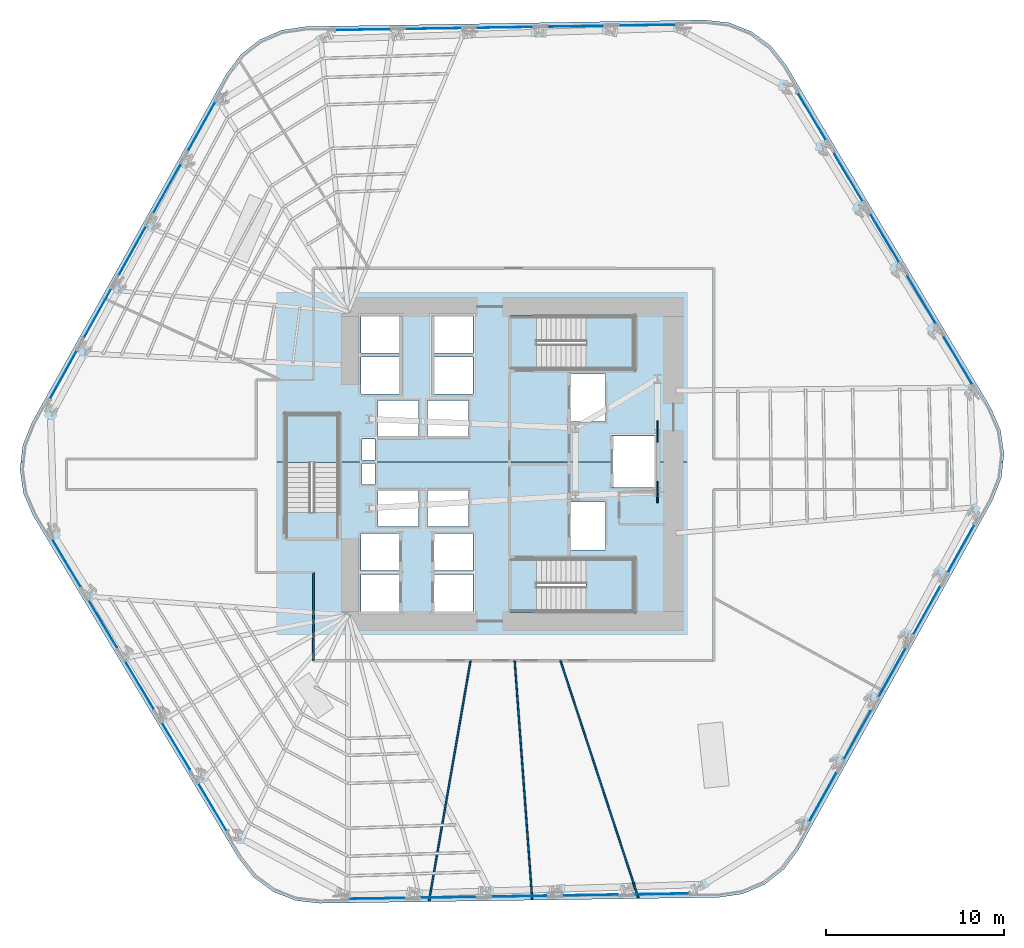
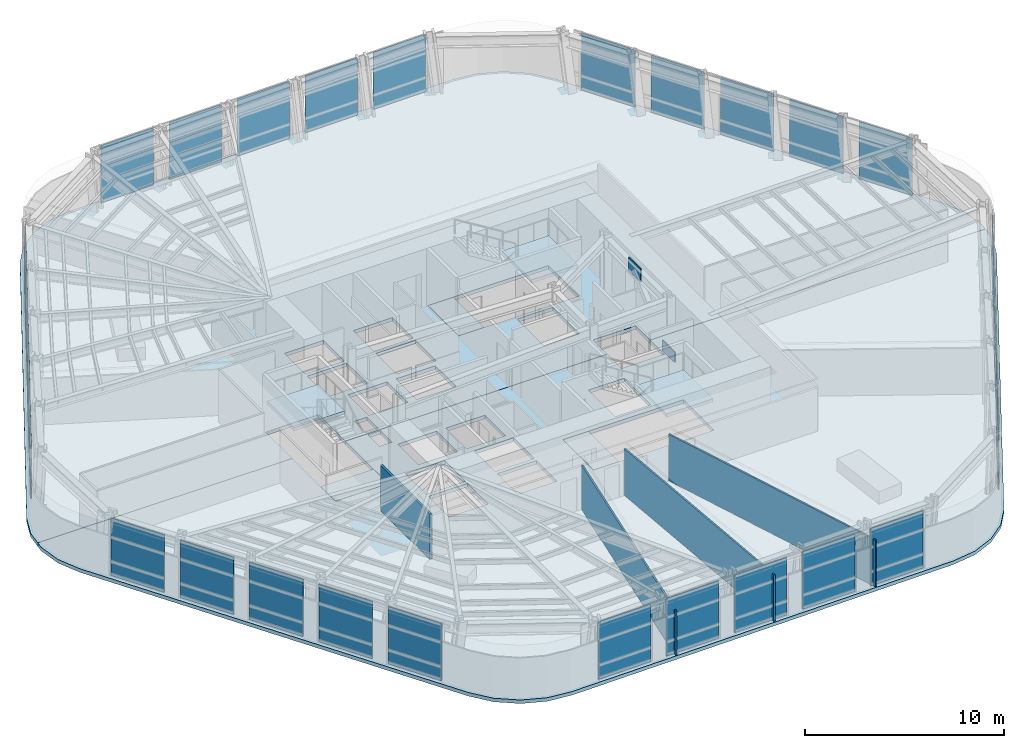
# One storey, part 7 of 15: 32 plates, 8 slabs, 4 walls, 9 elements without a shape of their own.
"""IFC4 building model written with IfcOpenShell, lengths in metres."""

from ifc_helpers import new_model, si_unit, direction, frame, frame_2d, origin, origin_2d, place, context, subcontext, project, spatial, polyline, rectangle, outline, extrude, material, layer, layer_set, type_object, element, aggregate, save


model = new_model("IFC4")

# Units and contexts
model_context = context("Model", 3, precision=1e-05, world=origin(), true_north=direction((0.0, 1.0)))
body_context = subcontext(model_context, "Body", "Model", "MODEL_VIEW")
ifc_project = project(units=[si_unit("LENGTHUNIT", "METRE"), si_unit("AREAUNIT", "SQUARE_METRE"), si_unit("VOLUMEUNIT", "CUBIC_METRE"), si_unit("PLANEANGLEUNIT", "RADIAN"), si_unit("MASSUNIT", "GRAM", prefix="KILO")], contexts=[model_context])

# Site, building, storey
site_placement = place(None, origin())
site = spatial("IfcSite", under=ifc_project, at=site_placement, CompositionType="ELEMENT")
building_placement = place(site_placement, origin())
building = spatial("IfcBuilding", under=site, at=building_placement, Name="Valkerne Bourse Tower", CompositionType="ELEMENT")
storey_placement = place(building_placement, frame((0.0, 0.0, 27.800048828125)))
storey = spatial("IfcBuildingStorey", under=building, at=storey_placement, Name="L06", CompositionType="ELEMENT", Elevation=27.800048828125)

# Curtain wall, plates
ifc_material_1 = material(Name="Aluminium AA 6063-T6", Category="aluminium")
ifc_layer_1 = layer(ifc_material_1, 0.22509765625)
ifc_layer_set_1 = layer_set([ifc_layer_1], Name="Aluminium AA 6063-T6")
curtain_wall_type = type_object("IfcCurtainWallType", Name="CW-01", PredefinedType="NOTDEFINED", material=ifc_layer_set_1)
curtain_wall_1_placement = place(storey_placement, origin())
curtain_wall_1 = element("IfcCurtainWall", 1, at=curtain_wall_1_placement, inside=storey, type_object=curtain_wall_type, Name="L06 Hexagonal Stick Curtain Wall Face 1", PredefinedType="NOTDEFINED")
ifc_material_2 = material(Name="Glass IGU Low-E Double Glazed", Category="glass")
ifc_layer_2 = layer(ifc_material_2, 0.031982421875)
ifc_layer_set_2 = layer_set([ifc_layer_2], Name="Glass IGU Low-E Double Glazed")
plate_type_1 = type_object("IfcPlateType", Name="CW-PNL-IGU-32", PredefinedType="CURTAIN_PANEL", material=ifc_layer_set_2)
plate_1_placement = place(storey_placement, frame((71.817138671875, 32.658447265625, 0.030029296875), z_axis=(0.0, 0.0, 1.0), x_axis=(-0.513542271598, 0.858064295541, 0.0)))
plate_1 = element("IfcPlate", 2, at=plate_1_placement, type_object=plate_type_1, Name="CW-L06-F1 Curtain Panel 00", PredefinedType="CURTAIN_PANEL", context=body_context, shape_type="SweptSolid", body=[
    extrude(rectangle(XDim=3.075927734375, YDim=0.031982421875, at=origin_2d()), origin(), (0.0, 0.0, 1.0), 3.52001953125),
])
plate_2_placement = place(storey_placement, frame((69.764892578125, 36.08740234375, 0.030029296875), z_axis=(0.0, 0.0, 1.0), x_axis=(-0.51356069666, 0.85805326807, 0.0)))
plate_2 = element("IfcPlate", 3, at=plate_2_placement, type_object=plate_type_1, Name="CW-L06-F1 Curtain Panel 01", PredefinedType="CURTAIN_PANEL", context=body_context, shape_type="SweptSolid", body=[
    extrude(rectangle(XDim=3.075927734375, YDim=0.031982421875, at=origin_2d()), origin(), (0.0, 0.0, 1.0), 3.52001953125),
])
plate_3_placement = place(storey_placement, frame((67.712890625, 39.51611328125, 0.030029296875), z_axis=(0.0, 0.0, 1.0), x_axis=(-0.513542271598, 0.858064295541, 0.0)))
plate_3 = element("IfcPlate", 4, at=plate_3_placement, type_object=plate_type_1, Name="CW-L06-F1 Curtain Panel 02", PredefinedType="CURTAIN_PANEL", context=body_context, shape_type="SweptSolid", body=[
    extrude(rectangle(XDim=3.075927734375, YDim=0.031982421875, at=origin_2d()), origin(), (0.0, 0.0, 1.0), 3.52001953125),
])
plate_4_placement = place(storey_placement, frame((65.660888671875, 42.94482421875, 0.030029296875), z_axis=(0.0, 0.0, 1.0), x_axis=(-0.513531244377, 0.858070895118, 0.0)))
plate_4 = element("IfcPlate", 5, at=plate_4_placement, type_object=plate_type_1, Name="CW-L06-F1 Curtain Panel 03", PredefinedType="CURTAIN_PANEL", context=body_context, shape_type="SweptSolid", body=[
    extrude(rectangle(XDim=3.076171875, YDim=0.031982421875, at=origin_2d()), origin(), (0.0, 0.0, 1.0), 3.52001953125),
])
plate_5_placement = place(storey_placement, frame((63.608642578125, 46.373779296875, 0.030029296875), z_axis=(0.0, 0.0, 1.0), x_axis=(-0.513542271598, 0.858064295541, 0.0)))
plate_5 = element("IfcPlate", 6, at=plate_5_placement, type_object=plate_type_1, Name="CW-L06-F1 Curtain Panel 04", PredefinedType="CURTAIN_PANEL", context=body_context, shape_type="SweptSolid", body=[
    extrude(rectangle(XDim=3.075927734375, YDim=0.031982421875, at=origin_2d()), origin(), (0.0, 0.0, 1.0), 3.52001953125),
])
aggregate(curtain_wall_1, [plate_1, plate_2, plate_3, plate_4, plate_5])

curtain_wall_2_placement = place(storey_placement, origin())
curtain_wall_2 = element("IfcCurtainWall", 7, at=curtain_wall_2_placement, inside=storey, type_object=curtain_wall_type, Name="L06 Hexagonal Stick Curtain Wall Face 2", PredefinedType="NOTDEFINED")
plate_6_placement = place(storey_placement, frame((54.408203125, 51.494873046875, 0.030029296875), z_axis=(0.0, 0.0, 1.0), x_axis=(-0.999876500112, -0.015715741255, 0.0)))
plate_6 = element("IfcPlate", 8, at=plate_6_placement, type_object=plate_type_1, Name="CW-L06-F2 Curtain Panel 00", PredefinedType="CURTAIN_PANEL", context=body_context, shape_type="SweptSolid", body=[
    extrude(rectangle(XDim=3.075927734375, YDim=0.031982421875, at=origin_2d()), origin(), (0.0, 0.0, 1.0), 3.52001953125),
])
plate_7_placement = place(storey_placement, frame((50.41259765625, 51.431884765625, 0.030029296875), z_axis=(0.0, 0.0, 1.0), x_axis=(-0.999876500112, -0.015715741255, 0.0)))
plate_7 = element("IfcPlate", 9, at=plate_7_placement, type_object=plate_type_1, Name="CW-L06-F2 Curtain Panel 01", PredefinedType="CURTAIN_PANEL", context=body_context, shape_type="SweptSolid", body=[
    extrude(rectangle(XDim=3.075927734375, YDim=0.031982421875, at=origin_2d()), origin(), (0.0, 0.0, 1.0), 3.52001953125),
])
plate_8_placement = place(storey_placement, frame((46.417236328125, 51.369140625, 0.030029296875), z_axis=(0.0, 0.0, 1.0), x_axis=(-0.999876893038, -0.015690722358, 0.0)))
plate_8 = element("IfcPlate", 10, at=plate_8_placement, type_object=plate_type_1, Name="CW-L06-F2 Curtain Panel 02", PredefinedType="CURTAIN_PANEL", context=body_context, shape_type="SweptSolid", body=[
    extrude(rectangle(XDim=3.075927734375, YDim=0.031982421875, at=origin_2d()), origin(), (0.0, 0.0, 1.0), 3.52001953125),
])
plate_9_placement = place(storey_placement, frame((42.421630859375, 51.306396484375, 0.030029296875), z_axis=(0.0, 0.0, 1.0), x_axis=(-0.999876500112, -0.015715741255, 0.0)))
plate_9 = element("IfcPlate", 11, at=plate_9_placement, type_object=plate_type_1, Name="CW-L06-F2 Curtain Panel 03", PredefinedType="CURTAIN_PANEL", context=body_context, shape_type="SweptSolid", body=[
    extrude(rectangle(XDim=3.075927734375, YDim=0.031982421875, at=origin_2d()), origin(), (0.0, 0.0, 1.0), 3.52001953125),
])
plate_10_placement = place(storey_placement, frame((38.42626953125, 51.24365234375, 0.030029296875), z_axis=(0.0, 0.0, 1.0), x_axis=(-0.999876500112, -0.015715741255, 0.0)))
plate_10 = element("IfcPlate", 12, at=plate_10_placement, type_object=plate_type_1, Name="CW-L06-F2 Curtain Panel 04", PredefinedType="CURTAIN_PANEL", context=body_context, shape_type="SweptSolid", body=[
    extrude(rectangle(XDim=3.075927734375, YDim=0.031982421875, at=origin_2d()), origin(), (0.0, 0.0, 1.0), 3.52001953125),
])
aggregate(curtain_wall_2, [plate_6, plate_7, plate_8, plate_9, plate_10])

curtain_wall_3_placement = place(storey_placement, origin())
curtain_wall_3 = element("IfcCurtainWall", 13, at=curtain_wall_3_placement, inside=storey, type_object=curtain_wall_type, Name="L06 Hexagonal Stick Curtain Wall Face 3", PredefinedType="NOTDEFINED")
plate_11_placement = place(storey_placement, frame((29.39111328125, 45.836181640625, 0.030029296875), z_axis=(0.0, 0.0, 1.0), x_axis=(-0.486335451261, -0.873772183608, 0.0)))
plate_11 = element("IfcPlate", 14, at=plate_11_placement, type_object=plate_type_1, Name="CW-L06-F3 Curtain Panel 00", PredefinedType="CURTAIN_PANEL", context=body_context, shape_type="SweptSolid", body=[
    extrude(rectangle(XDim=3.076171875, YDim=0.031982421875, at=origin_2d()), origin(), (0.0, 0.0, 1.0), 3.52001953125),
])
plate_12_placement = place(storey_placement, frame((27.447509765625, 42.3447265625, 0.030029296875), z_axis=(0.0, 0.0, 1.0), x_axis=(-0.486335451261, -0.873772183608, 0.0)))
plate_12 = element("IfcPlate", 15, at=plate_12_placement, type_object=plate_type_1, Name="CW-L06-F3 Curtain Panel 01", PredefinedType="CURTAIN_PANEL", context=body_context, shape_type="SweptSolid", body=[
    extrude(rectangle(XDim=3.076171875, YDim=0.031982421875, at=origin_2d()), origin(), (0.0, 0.0, 1.0), 3.52001953125),
])
plate_13_placement = place(storey_placement, frame((25.504150390625, 38.85302734375, 0.030029296875), z_axis=(0.0, 0.0, 1.0), x_axis=(-0.486335451261, -0.873772183608, 0.0)))
plate_13 = element("IfcPlate", 16, at=plate_13_placement, type_object=plate_type_1, Name="CW-L06-F3 Curtain Panel 02", PredefinedType="CURTAIN_PANEL", context=body_context, shape_type="SweptSolid", body=[
    extrude(rectangle(XDim=3.076171875, YDim=0.031982421875, at=origin_2d()), origin(), (0.0, 0.0, 1.0), 3.52001953125),
])
plate_14_placement = place(storey_placement, frame((23.560791015625, 35.361328125, 0.030029296875), z_axis=(0.0, 0.0, 1.0), x_axis=(-0.486335451261, -0.873772183608, 0.0)))
plate_14 = element("IfcPlate", 17, at=plate_14_placement, type_object=plate_type_1, Name="CW-L06-F3 Curtain Panel 03", PredefinedType="CURTAIN_PANEL", context=body_context, shape_type="SweptSolid", body=[
    extrude(rectangle(XDim=3.076171875, YDim=0.031982421875, at=origin_2d()), origin(), (0.0, 0.0, 1.0), 3.52001953125),
])
plate_15_placement = place(storey_placement, frame((21.617431640625, 31.869873046875, 0.030029296875), z_axis=(0.0, 0.0, 1.0), x_axis=(-0.486335451261, -0.873772183608, 0.0)))
plate_15 = element("IfcPlate", 18, at=plate_15_placement, type_object=plate_type_1, Name="CW-L06-F3 Curtain Panel 04", PredefinedType="CURTAIN_PANEL", context=body_context, shape_type="SweptSolid", body=[
    extrude(rectangle(XDim=3.076171875, YDim=0.031982421875, at=origin_2d()), origin(), (0.0, 0.0, 1.0), 3.52001953125),
])
aggregate(curtain_wall_3, [plate_11, plate_12, plate_13, plate_14, plate_15])

curtain_wall_4_placement = place(storey_placement, origin())
curtain_wall_4 = element("IfcCurtainWall", 19, at=curtain_wall_4_placement, inside=storey, type_object=curtain_wall_type, Name="L06 Hexagonal Stick Curtain Wall Face 4", PredefinedType="NOTDEFINED")
plate_16_placement = place(storey_placement, frame((21.78271484375, 21.341552734375, 0.030029296875), z_axis=(0.0, 0.0, 1.0), x_axis=(0.513542271598, -0.858064295541, 0.0)))
plate_16 = element("IfcPlate", 20, at=plate_16_placement, type_object=plate_type_1, Name="CW-L06-F4 Curtain Panel 00", PredefinedType="CURTAIN_PANEL", context=body_context, shape_type="SweptSolid", body=[
    extrude(rectangle(XDim=3.075927734375, YDim=0.031982421875, at=origin_2d()), origin(), (0.0, 0.0, 1.0), 3.52001953125),
])
plate_17_placement = place(storey_placement, frame((23.8349609375, 17.91259765625, 0.030029296875), z_axis=(0.0, 0.0, 1.0), x_axis=(0.51356069666, -0.85805326807, 0.0)))
plate_17 = element("IfcPlate", 21, at=plate_17_placement, type_object=plate_type_1, Name="CW-L06-F4 Curtain Panel 01", PredefinedType="CURTAIN_PANEL", context=body_context, shape_type="SweptSolid", body=[
    extrude(rectangle(XDim=3.075927734375, YDim=0.031982421875, at=origin_2d()), origin(), (0.0, 0.0, 1.0), 3.52001953125),
])
plate_18_placement = place(storey_placement, frame((25.88720703125, 14.48388671875, 0.030029296875), z_axis=(0.0, 0.0, 1.0), x_axis=(0.513542271598, -0.858064295541, 0.0)))
plate_18 = element("IfcPlate", 22, at=plate_18_placement, type_object=plate_type_1, Name="CW-L06-F4 Curtain Panel 02", PredefinedType="CURTAIN_PANEL", context=body_context, shape_type="SweptSolid", body=[
    extrude(rectangle(XDim=3.075927734375, YDim=0.031982421875, at=origin_2d()), origin(), (0.0, 0.0, 1.0), 3.52001953125),
])
plate_19_placement = place(storey_placement, frame((27.939208984375, 11.05517578125, 0.030029296875), z_axis=(0.0, 0.0, 1.0), x_axis=(0.513531244377, -0.858070895118, 0.0)))
plate_19 = element("IfcPlate", 23, at=plate_19_placement, type_object=plate_type_1, Name="CW-L06-F4 Curtain Panel 03", PredefinedType="CURTAIN_PANEL", context=body_context, shape_type="SweptSolid", body=[
    extrude(rectangle(XDim=3.076171875, YDim=0.031982421875, at=origin_2d()), origin(), (0.0, 0.0, 1.0), 3.52001953125),
])
plate_20_placement = place(storey_placement, frame((29.9912109375, 7.626220703125, 0.030029296875), z_axis=(0.0, 0.0, 1.0), x_axis=(0.513542271598, -0.858064295541, 0.0)))
plate_20 = element("IfcPlate", 24, at=plate_20_placement, type_object=plate_type_1, Name="CW-L06-F4 Curtain Panel 04", PredefinedType="CURTAIN_PANEL", context=body_context, shape_type="SweptSolid", body=[
    extrude(rectangle(XDim=3.075927734375, YDim=0.031982421875, at=origin_2d()), origin(), (0.0, 0.0, 1.0), 3.52001953125),
])
aggregate(curtain_wall_4, [plate_16, plate_17, plate_18, plate_19, plate_20])

curtain_wall_5_placement = place(storey_placement, origin())
curtain_wall_5 = element("IfcCurtainWall", 25, at=curtain_wall_5_placement, inside=storey, type_object=curtain_wall_type, Name="L06 Hexagonal Stick Curtain Wall Face 5", PredefinedType="NOTDEFINED")
plate_21_placement = place(storey_placement, frame((39.19189453125, 2.505126953125, 0.030029296875), z_axis=(0.0, 0.0, 1.0), x_axis=(0.999876500112, 0.015715741255, 0.0)))
plate_21 = element("IfcPlate", 26, at=plate_21_placement, type_object=plate_type_1, Name="CW-L06-F5 Curtain Panel 00", PredefinedType="CURTAIN_PANEL", context=body_context, shape_type="SweptSolid", body=[
    extrude(rectangle(XDim=3.075927734375, YDim=0.031982421875, at=origin_2d()), origin(), (0.0, 0.0, 1.0), 3.52001953125),
])
plate_22_placement = place(storey_placement, frame((43.187255859375, 2.568115234375, 0.030029296875), z_axis=(0.0, 0.0, 1.0), x_axis=(0.999876500112, 0.015715741255, 0.0)))
plate_22 = element("IfcPlate", 27, at=plate_22_placement, type_object=plate_type_1, Name="CW-L06-F5 Curtain Panel 01", PredefinedType="CURTAIN_PANEL", context=body_context, shape_type="SweptSolid", body=[
    extrude(rectangle(XDim=3.075927734375, YDim=0.031982421875, at=origin_2d()), origin(), (0.0, 0.0, 1.0), 3.52001953125),
])
plate_23_placement = place(storey_placement, frame((47.182861328125, 2.630859375, 0.030029296875), z_axis=(0.0, 0.0, 1.0), x_axis=(0.999876893038, 0.015690722358, 0.0)))
plate_23 = element("IfcPlate", 28, at=plate_23_placement, type_object=plate_type_1, Name="CW-L06-F5 Curtain Panel 02", PredefinedType="CURTAIN_PANEL", context=body_context, shape_type="SweptSolid", body=[
    extrude(rectangle(XDim=3.075927734375, YDim=0.031982421875, at=origin_2d()), origin(), (0.0, 0.0, 1.0), 3.52001953125),
])
plate_24_placement = place(storey_placement, frame((51.17822265625, 2.693603515625, 0.030029296875), z_axis=(0.0, 0.0, 1.0), x_axis=(0.999876500112, 0.015715741255, 0.0)))
plate_24 = element("IfcPlate", 29, at=plate_24_placement, type_object=plate_type_1, Name="CW-L06-F5 Curtain Panel 03", PredefinedType="CURTAIN_PANEL", context=body_context, shape_type="SweptSolid", body=[
    extrude(rectangle(XDim=3.075927734375, YDim=0.031982421875, at=origin_2d()), origin(), (0.0, 0.0, 1.0), 3.52001953125),
])
plate_25_placement = place(storey_placement, frame((55.173828125, 2.75634765625, 0.030029296875), z_axis=(0.0, 0.0, 1.0), x_axis=(0.999876500112, 0.015715741255, 0.0)))
plate_25 = element("IfcPlate", 30, at=plate_25_placement, type_object=plate_type_1, Name="CW-L06-F5 Curtain Panel 04", PredefinedType="CURTAIN_PANEL", context=body_context, shape_type="SweptSolid", body=[
    extrude(rectangle(XDim=3.075927734375, YDim=0.031982421875, at=origin_2d()), origin(), (0.0, 0.0, 1.0), 3.52001953125),
])
aggregate(curtain_wall_5, [plate_21, plate_22, plate_23, plate_24, plate_25])

curtain_wall_6_placement = place(storey_placement, origin())
curtain_wall_6 = element("IfcCurtainWall", 31, at=curtain_wall_6_placement, inside=storey, type_object=curtain_wall_type, Name="L06 Hexagonal Stick Curtain Wall Face 6", PredefinedType="NOTDEFINED")
plate_26_placement = place(storey_placement, frame((64.208984375, 8.163818359375, 0.030029296875), z_axis=(0.0, 0.0, 1.0), x_axis=(0.486335451261, 0.873772183608, 0.0)))
plate_26 = element("IfcPlate", 32, at=plate_26_placement, type_object=plate_type_1, Name="CW-L06-F6 Curtain Panel 00", PredefinedType="CURTAIN_PANEL", context=body_context, shape_type="SweptSolid", body=[
    extrude(rectangle(XDim=3.076171875, YDim=0.031982421875, at=origin_2d()), origin(), (0.0, 0.0, 1.0), 3.52001953125),
])
plate_27_placement = place(storey_placement, frame((66.15234375, 11.655517578125, 0.030029296875), z_axis=(0.0, 0.0, 1.0), x_axis=(0.486335451261, 0.873772183608, 0.0)))
plate_27 = element("IfcPlate", 33, at=plate_27_placement, type_object=plate_type_1, Name="CW-L06-F6 Curtain Panel 01", PredefinedType="CURTAIN_PANEL", context=body_context, shape_type="SweptSolid", body=[
    extrude(rectangle(XDim=3.076171875, YDim=0.031982421875, at=origin_2d()), origin(), (0.0, 0.0, 1.0), 3.52001953125),
])
plate_28_placement = place(storey_placement, frame((68.095703125, 15.14697265625, 0.030029296875), z_axis=(0.0, 0.0, 1.0), x_axis=(0.486335451261, 0.873772183608, 0.0)))
plate_28 = element("IfcPlate", 34, at=plate_28_placement, type_object=plate_type_1, Name="CW-L06-F6 Curtain Panel 02", PredefinedType="CURTAIN_PANEL", context=body_context, shape_type="SweptSolid", body=[
    extrude(rectangle(XDim=3.076171875, YDim=0.031982421875, at=origin_2d()), origin(), (0.0, 0.0, 1.0), 3.52001953125),
])
plate_29_placement = place(storey_placement, frame((70.039306640625, 18.638427734375, 0.030029296875), z_axis=(0.0, 0.0, 1.0), x_axis=(0.486335451261, 0.873772183608, 0.0)))
plate_29 = element("IfcPlate", 35, at=plate_29_placement, type_object=plate_type_1, Name="CW-L06-F6 Curtain Panel 03", PredefinedType="CURTAIN_PANEL", context=body_context, shape_type="SweptSolid", body=[
    extrude(rectangle(XDim=3.076171875, YDim=0.031982421875, at=origin_2d()), origin(), (0.0, 0.0, 1.0), 3.52001953125),
])
plate_30_placement = place(storey_placement, frame((71.982666015625, 22.130126953125, 0.030029296875), z_axis=(0.0, 0.0, 1.0), x_axis=(0.486335451261, 0.873772183608, 0.0)))
plate_30 = element("IfcPlate", 36, at=plate_30_placement, type_object=plate_type_1, Name="CW-L06-F6 Curtain Panel 04", PredefinedType="CURTAIN_PANEL", context=body_context, shape_type="SweptSolid", body=[
    extrude(rectangle(XDim=3.076171875, YDim=0.031982421875, at=origin_2d()), origin(), (0.0, 0.0, 1.0), 3.52001953125),
])
aggregate(curtain_wall_6, [plate_26, plate_27, plate_28, plate_29, plate_30])

# Plates
ifc_material_3 = material(Name="Steel ASTM A572 Grade 50", Category="steel")
ifc_layer_3 = layer(ifc_material_3, 0.06005859375)
ifc_layer_set_3 = layer_set([ifc_layer_3], Name="Steel ASTM A572 Grade 50")
plate_type_2 = type_object("IfcPlateType", Name="PLT-GUS-60", PredefinedType="SHEET", material=ifc_layer_set_3)
for number, where, z_axis, x_axis, name in (
    (37, (54.949951171875, 25.300048828125, -0.18017578125), (0.0, 0.0, 1.0), (0.0, 1.0, 0.0), "L06 Brace Node Gusset Plate PLT-GUS-END-L06-328"),
    (38, (54.949951171875, 28.699951171875, 2.8740234375), (0.0, 0.0, 1.0), (0.0, 1.0, 0.0), "L06 Brace Node Gusset Plate PLT-GUS-END-L06-329"),
):
    element("IfcPlate", number, at=place(storey_placement, frame(where, z_axis=z_axis, x_axis=x_axis)), inside=storey, type_object=plate_type_2, Name=name, PredefinedType="SHEET", context=body_context, shape_type="SweptSolid", body=[
        extrude(rectangle(XDim=1.199951171875, YDim=0.06005859375, at=origin_2d()), origin(), (0.0, 0.0, 1.0), 0.800048828125),
    ])

# Slabs
ifc_material_4 = material(Name="Concrete C40/50", Category="concrete")
ifc_layer_4 = layer(ifc_material_4, 0.25)
ifc_layer_set_4 = layer_set([ifc_layer_4], Name="Concrete C40/50")
slab_type_1 = type_object("IfcSlabType", Name="SLB-RMP-LND-250", PredefinedType="LANDING", material=ifc_layer_set_4)
slab_1_placement = place(storey_placement, frame((0.0, 0.0, -0.219970703125)))
element("IfcSlab", 39, at=slab_1_placement, inside=storey, type_object=slab_type_1, Name="L06 ST-1 Floor Landing Slab", PredefinedType="LANDING", context=body_context, shape_type="SweptSolid", body=[
    extrude(outline(polyline([(46.669921875, 18.5400390625), (48.14990234375, 18.5400390625), (48.14990234375, 21.610107421875), (46.669921875, 21.610107421875), (46.669921875, 18.5400390625)])), origin(), (0.0, 0.0, 1.0), 0.219970703125),
])
slab_2_placement = place(storey_placement, frame((0.0, 0.0, -0.219970703125)))
element("IfcSlab", 40, at=slab_2_placement, inside=storey, type_object=slab_type_1, Name="L06 ST-2 Floor Landing Slab", PredefinedType="LANDING", context=body_context, shape_type="SweptSolid", body=[
    extrude(outline(polyline([(46.669921875, 32.139892578125), (48.14990234375, 32.139892578125), (48.14990234375, 35.2099609375), (46.669921875, 35.2099609375), (46.669921875, 32.139892578125)])), origin(), (0.0, 0.0, 1.0), 0.219970703125),
])
slab_3_placement = place(storey_placement, frame((0.0, 0.0, -0.219970703125)))
element("IfcSlab", 41, at=slab_3_placement, inside=storey, type_object=slab_type_1, Name="L06 ST-3 Floor Landing Slab", PredefinedType="LANDING", context=body_context, shape_type="SweptSolid", body=[
    extrude(outline(polyline([(37.110107421875, 22.669921875), (37.110107421875, 24.14990234375), (34.0400390625, 24.14990234375), (34.0400390625, 22.669921875), (37.110107421875, 22.669921875)])), origin(), (0.0, 0.0, 1.0), 0.219970703125),
])

# Stair, slab
stair_type = type_object("IfcStairType", Name="ST-CORE-1400", PredefinedType="HALF_TURN_STAIR", material=ifc_material_4)
stair_1_placement = place(storey_placement, origin())
stair_1 = element("IfcStair", 42, at=stair_1_placement, inside=storey, type_object=stair_type, Name="L06 ST-1", PredefinedType="HALF_TURN_STAIR")
ifc_layer_5 = layer(ifc_material_4, 0.179931640625)
ifc_layer_set_5 = layer_set([ifc_layer_5], Name="Concrete C40/50")
slab_type_2 = type_object("IfcSlabType", Name="SLB-ST-LND-180", PredefinedType="LANDING", material=ifc_layer_set_5)
slab_4_placement = place(storey_placement, frame((0.0, 0.0, 1.699951171875)))
slab_4 = element("IfcSlab", 43, at=slab_4_placement, type_object=slab_type_2, Name="ST-1 landing 1", PredefinedType="LANDING", context=body_context, shape_type="SweptSolid", body=[
    extrude(outline(polyline([(50.949951171875, 18.60009765625), (53.64990234375, 18.60009765625), (53.64990234375, 21.550048828125), (50.949951171875, 21.550048828125), (50.949951171875, 18.60009765625)])), origin(), (0.0, 0.0, 1.0), 0.199951171875),
])
aggregate(stair_1, [slab_4])

stair_2_placement = place(storey_placement, origin())
stair_2 = element("IfcStair", 44, at=stair_2_placement, inside=storey, type_object=stair_type, Name="L06 ST-2", PredefinedType="HALF_TURN_STAIR")
slab_5_placement = place(storey_placement, frame((0.0, 0.0, 1.699951171875)))
slab_5 = element("IfcSlab", 45, at=slab_5_placement, type_object=slab_type_2, Name="ST-2 landing 1", PredefinedType="LANDING", context=body_context, shape_type="SweptSolid", body=[
    extrude(outline(polyline([(50.949951171875, 32.199951171875), (53.64990234375, 32.199951171875), (53.64990234375, 35.14990234375), (50.949951171875, 35.14990234375), (50.949951171875, 32.199951171875)])), origin(), (0.0, 0.0, 1.0), 0.199951171875),
])
aggregate(stair_2, [slab_5])

stair_3_placement = place(storey_placement, origin())
stair_3 = element("IfcStair", 46, at=stair_3_placement, inside=storey, type_object=stair_type, Name="L06 ST-3", PredefinedType="HALF_TURN_STAIR")
slab_6_placement = place(storey_placement, frame((0.0, 0.0, 1.699951171875)))
slab_6 = element("IfcSlab", 47, at=slab_6_placement, type_object=slab_type_2, Name="ST-3 landing 1", PredefinedType="LANDING", context=body_context, shape_type="SweptSolid", body=[
    extrude(outline(polyline([(37.050048828125, 26.949951171875), (37.050048828125, 29.64990234375), (34.10009765625, 29.64990234375), (34.10009765625, 26.949951171875), (37.050048828125, 26.949951171875)])), origin(), (0.0, 0.0, 1.0), 0.199951171875),
])
aggregate(stair_3, [slab_6])

# Slabs
ifc_layer_6 = layer(ifc_material_4, 0.219970703125)
ifc_layer_set_6 = layer_set([ifc_layer_6], Name="Concrete C40/50")
slab_type_3 = type_object("IfcSlabType", Name="SLB-TOW-220", PredefinedType="FLOOR", material=ifc_layer_set_6)
slab_7_placement = place(storey_placement, frame((0.0, 0.0, -0.219970703125)))
element("IfcSlab", 48, at=slab_7_placement, inside=storey, type_object=slab_type_3, Name="L06 Hexagonal Composite Floor Slab S", PredefinedType="FLOOR", context=body_context, shape_type="SweptSolid", body=[
    extrude(outline(polyline([(62.04736328125, 4.144287109375), (60.9833984375, 3.30126953125), (59.737548828125, 2.76220703125), (58.394775390625, 2.563720703125), (35.989990234375, 2.23193359375), (34.6416015625, 2.387939453125), (33.37939453125, 2.8876953125), (32.28955078125, 3.697021484375), (31.4462890625, 4.760986328125), (19.922119140625, 23.977294921875), (19.3828125, 25.223388671875), (19.1845703125, 26.566162109375), (19.23486328125, 27.0), (34.034912109375, 27.0), (34.034912109375, 22.6650390625), (37.114990234375, 22.6650390625), (37.114990234375, 27.0), (52.360107421875, 27.0), (52.360107421875, 25.56005859375), (54.840087890625, 25.56005859375), (54.840087890625, 27.0), (74.342041015625, 27.0), (74.236083984375, 26.0849609375), (73.736328125, 24.82275390625), (62.856689453125, 5.234130859375), (62.04736328125, 4.144287109375)]), holes=[polyline([(40.590087890625, 20.68994140625), (38.31005859375, 20.68994140625), (38.31005859375, 18.610107421875), (40.590087890625, 18.610107421875), (40.590087890625, 20.68994140625)]), polyline([(40.590087890625, 22.989990234375), (38.31005859375, 22.989990234375), (38.31005859375, 20.909912109375), (40.590087890625, 20.909912109375), (40.590087890625, 22.989990234375)]), polyline([(41.5400390625, 25.43994140625), (39.260009765625, 25.43994140625), (39.260009765625, 23.360107421875), (41.5400390625, 23.360107421875), (41.5400390625, 25.43994140625)]), polyline([(39.10009765625, 25.72998046875), (39.10009765625, 26.89990234375), (38.3798828125, 26.89990234375), (38.3798828125, 25.72998046875), (39.10009765625, 25.72998046875)]), polyline([(44.590087890625, 20.68994140625), (42.31005859375, 20.68994140625), (42.31005859375, 18.610107421875), (44.590087890625, 18.610107421875), (44.590087890625, 20.68994140625)]), polyline([(53.675048828125, 21.614990234375), (46.6650390625, 21.614990234375), (46.6650390625, 18.534912109375), (53.675048828125, 18.534912109375), (53.675048828125, 21.614990234375)]), polyline([(44.590087890625, 22.989990234375), (42.31005859375, 22.989990234375), (42.31005859375, 20.909912109375), (44.590087890625, 20.909912109375), (44.590087890625, 22.989990234375)]), polyline([(52.0400390625, 22.06005859375), (52.0400390625, 24.739990234375), (49.9599609375, 24.739990234375), (49.9599609375, 22.06005859375), (52.0400390625, 22.06005859375)]), polyline([(44.340087890625, 23.360107421875), (44.340087890625, 25.43994140625), (42.06005859375, 25.43994140625), (42.06005859375, 23.360107421875), (44.340087890625, 23.360107421875)])]), origin(), (0.0, 0.0, 1.0), 0.219970703125),
])
slab_8_placement = place(storey_placement, frame((0.0, 0.0, -0.219970703125)))
element("IfcSlab", 49, at=slab_8_placement, inside=storey, type_object=slab_type_3, Name="L06 Hexagonal Composite Floor Slab N", PredefinedType="FLOOR", context=body_context, shape_type="SweptSolid", body=[
    extrude(outline(polyline([(19.340576171875, 27.914794921875), (19.84033203125, 29.1767578125), (30.75537109375, 48.745849609375), (31.564697265625, 49.835693359375), (32.62841796875, 50.6787109375), (33.87451171875, 51.218017578125), (35.21728515625, 51.416259765625), (57.621337890625, 51.788330078125), (58.969970703125, 51.63232421875), (60.23193359375, 51.132568359375), (61.32177734375, 50.3232421875), (62.1650390625, 49.259521484375), (73.65478515625, 30.022216796875), (74.19384765625, 28.7763671875), (74.39208984375, 27.43359375), (74.342041015625, 27.0), (54.840087890625, 27.0), (54.840087890625, 28.43994140625), (52.360107421875, 28.43994140625), (52.360107421875, 27.0), (37.114990234375, 27.0), (37.114990234375, 29.675048828125), (34.034912109375, 29.675048828125), (34.034912109375, 27.0), (19.23486328125, 27.0), (19.340576171875, 27.914794921875)]), holes=[polyline([(39.10009765625, 28.27001953125), (38.3798828125, 28.27001953125), (38.3798828125, 27.10009765625), (39.10009765625, 27.10009765625), (39.10009765625, 28.27001953125)]), polyline([(41.5400390625, 30.43994140625), (39.260009765625, 30.43994140625), (39.260009765625, 28.360107421875), (41.5400390625, 28.360107421875), (41.5400390625, 30.43994140625)]), polyline([(44.340087890625, 30.43994140625), (42.06005859375, 30.43994140625), (42.06005859375, 28.360107421875), (44.340087890625, 28.360107421875), (44.340087890625, 30.43994140625)]), polyline([(40.590087890625, 30.81005859375), (40.590087890625, 32.889892578125), (38.31005859375, 32.889892578125), (38.31005859375, 30.81005859375), (40.590087890625, 30.81005859375)]), polyline([(40.590087890625, 33.110107421875), (40.590087890625, 35.18994140625), (38.31005859375, 35.18994140625), (38.31005859375, 33.110107421875), (40.590087890625, 33.110107421875)]), polyline([(52.0400390625, 31.93994140625), (49.9599609375, 31.93994140625), (49.9599609375, 29.260009765625), (52.0400390625, 29.260009765625), (52.0400390625, 31.93994140625)]), polyline([(44.590087890625, 32.889892578125), (42.31005859375, 32.889892578125), (42.31005859375, 30.81005859375), (44.590087890625, 30.81005859375), (44.590087890625, 32.889892578125)]), polyline([(53.675048828125, 32.135009765625), (53.675048828125, 35.215087890625), (46.6650390625, 35.215087890625), (46.6650390625, 32.135009765625), (53.675048828125, 32.135009765625)]), polyline([(44.590087890625, 33.110107421875), (44.590087890625, 35.18994140625), (42.31005859375, 35.18994140625), (42.31005859375, 33.110107421875), (44.590087890625, 33.110107421875)])]), origin(), (0.0, 0.0, 1.0), 0.219970703125),
])

# Walls
ifc_material_5 = material(Name="Gypsum Board Steel-Stud Partition", Category="steel")
ifc_layer_7 = layer(ifc_material_5, 0.117919921875)
ifc_layer_set_7 = layer_set([ifc_layer_7], Name="Gypsum Board Steel-Stud Partition")
wall_type_1 = type_object("IfcWallType", Name="W-CORR-140", PredefinedType="PARTITIONING", material=ifc_layer_set_7)
wall_1_placement = place(storey_placement, frame((35.64990234375, 15.85009765625, 0.0), z_axis=(0.0, 0.0, 1.0), x_axis=(0.0, 1.0, 0.0)))
element("IfcWall", 50, at=wall_1_placement, inside=storey, type_object=wall_type_1, Name="L06 Corridor Enclosure Wall", PredefinedType="PARTITIONING", context=body_context, shape_type="SweptSolid", body=[
    extrude(rectangle(XDim=4.949951171875, YDim=0.117919921875, at=frame_2d((2.47509765625, 0.0))), origin(), (0.0, 0.0, 1.0), 2.80029296875),
])
ifc_layer_8 = layer(ifc_material_5, 0.092041015625)
ifc_layer_set_8 = layer_set([ifc_layer_8], Name="Gypsum Board Steel-Stud Partition")
wall_type_2 = type_object("IfcWallType", Name="W-PART-115", PredefinedType="PARTITIONING", material=ifc_layer_set_8)
wall_2_placement = place(storey_placement, frame((44.463134765625, 15.844970703125, 0.0), z_axis=(0.0, 0.0, 1.0), x_axis=(-0.170205159858, -0.985408648002, 0.0)))
element("IfcWall", 51, at=wall_2_placement, inside=storey, type_object=wall_type_2, Name="L06 Suite Partition P01", PredefinedType="PARTITIONING", context=body_context, shape_type="SweptSolid", body=[
    extrude(rectangle(XDim=13.651123046875, YDim=0.092041015625, at=frame_2d((6.82568359375, 0.0))), origin(), (0.0, 0.0, 1.0), 2.71142578125),
])
wall_3_placement = place(storey_placement, frame((46.9384765625, 15.844970703125, 0.0), z_axis=(0.0, 0.0, 1.0), x_axis=(0.07323019218, -0.997315065039, 0.0)))
element("IfcWall", 52, at=wall_3_placement, inside=storey, type_object=wall_type_2, Name="L06 Suite Partition P02", PredefinedType="PARTITIONING", context=body_context, shape_type="SweptSolid", body=[
    extrude(rectangle(XDim=13.402099609375, YDim=0.092041015625, at=frame_2d((6.701171875, 0.0))), origin(), (0.0, 0.0, 1.0), 2.86376953125),
])
wall_4_placement = place(storey_placement, frame((49.505859375, 15.844970703125, 0.0), z_axis=(0.0, 0.0, 1.0), x_axis=(0.312342236228, -0.949969645551, 0.0)))
element("IfcWall", 53, at=wall_4_placement, inside=storey, type_object=wall_type_2, Name="L06 Suite Partition P03", PredefinedType="PARTITIONING", context=body_context, shape_type="SweptSolid", body=[
    extrude(rectangle(XDim=13.977294921875, YDim=0.092041015625, at=frame_2d((6.98876953125, 0.0))), origin(), (0.0, 0.0, 1.0), 2.86376953125),
])

save(model, "model.ifc")
